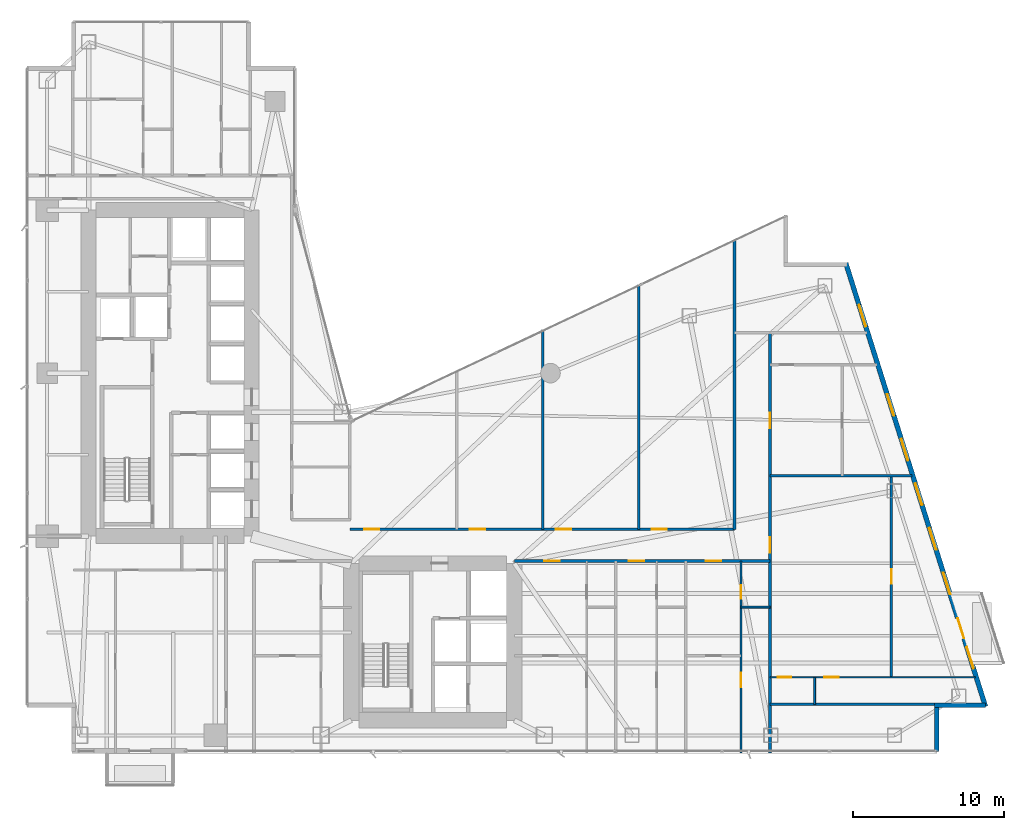
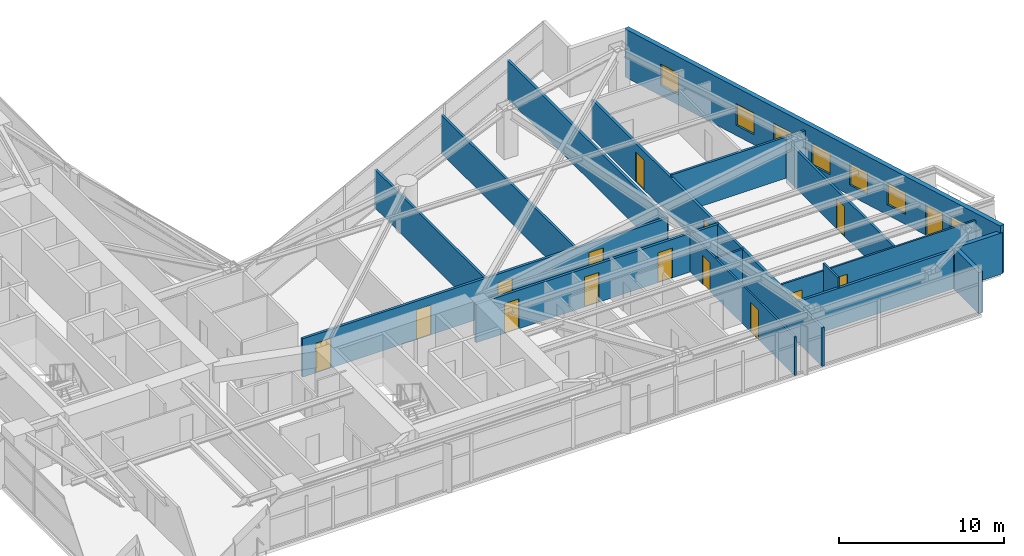
# One storey, part 24 of 30: 16 walls, 15 doors, 7 windows, 22 openings.
"""IFC4 building model written with IfcOpenShell, lengths in metres."""

from ifc_helpers import new_model, si_unit, direction, frame, frame_2d, origin, place, context, subcontext, project, spatial, rectangle, extrude, material, layer, layer_set, type_object, element, fill, save


model = new_model("IFC4")

# Units and contexts
model_context = context("Model", 3, precision=1e-05, world=origin(), true_north=direction((0.0, 1.0)))
body_context = subcontext(model_context, "Body", "Model", "MODEL_VIEW")
ifc_project = project(units=[si_unit("LENGTHUNIT", "METRE"), si_unit("AREAUNIT", "SQUARE_METRE"), si_unit("VOLUMEUNIT", "CUBIC_METRE"), si_unit("PLANEANGLEUNIT", "RADIAN"), si_unit("MASSUNIT", "GRAM", prefix="KILO")], contexts=[model_context])

# Site, building, storey
site_placement = place(None, origin())
site = spatial("IfcSite", under=ifc_project, at=site_placement, CompositionType="ELEMENT")
building_placement = place(site_placement, origin())
building = spatial("IfcBuilding", under=site, at=building_placement, Name="Calvorn Quay Hotel", CompositionType="ELEMENT")
storey_placement = place(building_placement, frame((0.0, 0.0, 50.800048828125)))
storey = spatial("IfcBuildingStorey", under=building, at=storey_placement, Name="L11", CompositionType="ELEMENT", Elevation=50.800048828125)

# Wall, openings, doors
ifc_material_1 = material(Name="Acoustic Fireboard Steel-Stud Partition", Category="steel")
ifc_layer_1 = layer(ifc_material_1, 0.179931640625)
ifc_layer_set_1 = layer_set([ifc_layer_1], Name="WL-CORR-FIRE-180")
wall_type_1 = type_object("IfcWallType", Name="WL-CORR-FIRE-180", PredefinedType="PARTITIONING", material=ifc_layer_set_1)
wall_1_placement = place(storey_placement, frame((32.39990234375, 15.14990234375, 0.0), z_axis=(0.0, 0.0, 1.0), x_axis=(1.0, 0.0, 0.0)))
wall_1 = element("IfcWall", 1, at=wall_1_placement, inside=storey, type_object=wall_type_1, Name="Partition Wall L11-WL-CORR-SE-S", PredefinedType="PARTITIONING", context=body_context, shape_type="SweptSolid", body=[
    extrude(rectangle(XDim=16.9501953125, YDim=0.179931640625, at=frame_2d((8.47509765625, 0.0))), origin(), (0.0, 0.0, 1.0), 2.83984375),
])
opening_1_placement = place(wall_1_placement, frame((1.989990234375, 0.0, 0.0)))
opening_1 = element("IfcOpeningElement", 2, at=opening_1_placement, cuts=wall_1, Name="Opening D-L11-U05", PredefinedType="OPENING", context=body_context, shape_type="SweptSolid", body=[
    extrude(rectangle(XDim=1.02001953125, YDim=2.199951171875, at=frame_2d((0.510009765625, 1.10009765625))), frame((0.0, 0.099853515625, 0.0), z_axis=(0.0, -1.0, 0.0), x_axis=(1.0, 0.0, 0.0)), (0.0, 0.0, 1.0), 0.199951171875),
])
opening_2_placement = place(wall_1_placement, frame((7.580078125, 0.0, 0.0)))
opening_2 = element("IfcOpeningElement", 3, at=opening_2_placement, cuts=wall_1, Name="Opening D-L11-U06", PredefinedType="OPENING", context=body_context, shape_type="SweptSolid", body=[
    extrude(rectangle(XDim=1.02001953125, YDim=2.199951171875, at=frame_2d((0.510009765625, 1.10009765625))), frame((0.0, 0.099853515625, 0.0), z_axis=(0.0, -1.0, 0.0), x_axis=(1.0, 0.0, 0.0)), (0.0, 0.0, 1.0), 0.199951171875),
])
opening_3_placement = place(wall_1_placement, frame((12.68994140625, 0.0, 0.0)))
opening_3 = element("IfcOpeningElement", 4, at=opening_3_placement, cuts=wall_1, Name="Opening D-L11-U07", PredefinedType="OPENING", context=body_context, shape_type="SweptSolid", body=[
    extrude(rectangle(XDim=1.02001953125, YDim=2.199951171875, at=frame_2d((0.510009765625, 1.10009765625))), frame((0.0, 0.099853515625, 0.0), z_axis=(0.0, -1.0, 0.0), x_axis=(1.0, 0.0, 0.0)), (0.0, 0.0, 1.0), 0.199951171875),
])
ifc_material_2 = material(Name="Solid-Core Walnut Veneer Hotel Fire Door")
door_type_1 = type_object("IfcDoorType", Name="DR-GUEST-ENTRY-1020", OperationType="NOTDEFINED", PredefinedType="DOOR", material=ifc_material_2)
door_1_placement = place(opening_1_placement, origin())
door_1 = element("IfcDoor", 5, at=door_1_placement, inside=storey, type_object=door_type_1, Name="South-East Unit Door U05 (L11)", OperationType="SINGLE_SWING_LEFT", OverallHeight=2.199951171875, OverallWidth=1.02001953125, PredefinedType="DOOR", context=body_context, shape_type="SweptSolid", body=[
    extrude(rectangle(XDim=1.02001953125, YDim=2.199951171875, at=frame_2d((0.510009765625, 1.10009765625))), frame((0.0, 0.02490234375, 0.0), z_axis=(0.0, -1.0, 0.0), x_axis=(1.0, 0.0, 0.0)), (0.0, 0.0, 1.0), 0.050048828125),
])
fill(opening_1, door_1)
door_2_placement = place(opening_2_placement, origin())
door_2 = element("IfcDoor", 6, at=door_2_placement, inside=storey, type_object=door_type_1, Name="South-East Unit Door U06 (L11)", OperationType="SINGLE_SWING_RIGHT", OverallHeight=2.199951171875, OverallWidth=1.02001953125, PredefinedType="DOOR", context=body_context, shape_type="SweptSolid", body=[
    extrude(rectangle(XDim=1.02001953125, YDim=2.199951171875, at=frame_2d((0.510009765625, 1.10009765625))), frame((0.0, 0.02490234375, 0.0), z_axis=(0.0, -1.0, 0.0), x_axis=(1.0, 0.0, 0.0)), (0.0, 0.0, 1.0), 0.050048828125),
])
fill(opening_2, door_2)
door_3_placement = place(opening_3_placement, origin())
door_3 = element("IfcDoor", 7, at=door_3_placement, inside=storey, type_object=door_type_1, Name="South-East Unit Door U07 (L11)", OperationType="SINGLE_SWING_LEFT", OverallHeight=2.199951171875, OverallWidth=1.02001953125, PredefinedType="DOOR", context=body_context, shape_type="SweptSolid", body=[
    extrude(rectangle(XDim=1.02001953125, YDim=2.199951171875, at=frame_2d((0.510009765625, 1.10009765625))), frame((0.0, 0.02490234375, 0.0), z_axis=(0.0, -1.0, 0.0), x_axis=(1.0, 0.0, 0.0)), (0.0, 0.0, 1.0), 0.050048828125),
])
fill(opening_3, door_3)

wall_2_placement = place(storey_placement, frame((21.5, 17.25, 0.0), z_axis=(0.0, 0.0, 1.0), x_axis=(1.0, 0.0, 0.0)))
wall_2 = element("IfcWall", 8, at=wall_2_placement, inside=storey, type_object=wall_type_1, Name="Partition Wall L11-WL-CORR-NE-N", PredefinedType="PARTITIONING", context=body_context, shape_type="SweptSolid", body=[
    extrude(rectangle(XDim=25.5, YDim=0.179931640625, at=frame_2d((12.75, 0.0))), origin(), (0.0, 0.0, 1.0), 2.83984375),
])
opening_4_placement = place(wall_2_placement, frame((0.949951171875, 0.0, 0.0)))
opening_4 = element("IfcOpeningElement", 9, at=opening_4_placement, cuts=wall_2, Name="Opening D-L11-NS1", PredefinedType="OPENING", context=body_context, shape_type="SweptSolid", body=[
    extrude(rectangle(XDim=1.02001953125, YDim=2.199951171875, at=frame_2d((0.510009765625, 1.10009765625))), frame((0.0, 0.099853515625, 0.0), z_axis=(0.0, -1.0, 0.0), x_axis=(1.0, 0.0, 0.0)), (0.0, 0.0, 1.0), 0.199951171875),
])
opening_5_placement = place(wall_2_placement, frame((7.949951171875, 0.0, 0.0)))
opening_5 = element("IfcOpeningElement", 10, at=opening_5_placement, cuts=wall_2, Name="Opening D-L11-NS2", PredefinedType="OPENING", context=body_context, shape_type="SweptSolid", body=[
    extrude(rectangle(XDim=1.02001953125, YDim=2.199951171875, at=frame_2d((0.510009765625, 1.10009765625))), frame((0.0, 0.099853515625, 0.0), z_axis=(0.0, -1.0, 0.0), x_axis=(1.0, 0.0, 0.0)), (0.0, 0.0, 1.0), 0.199951171875),
])
opening_6_placement = place(wall_2_placement, frame((13.64990234375, 0.0, 0.0)))
opening_6 = element("IfcOpeningElement", 11, at=opening_6_placement, cuts=wall_2, Name="Opening D-L11-NS3", PredefinedType="OPENING", context=body_context, shape_type="SweptSolid", body=[
    extrude(rectangle(XDim=1.02001953125, YDim=2.199951171875, at=frame_2d((0.510009765625, 1.10009765625))), frame((0.0, 0.099853515625, 0.0), z_axis=(0.0, -1.0, 0.0), x_axis=(1.0, 0.0, 0.0)), (0.0, 0.0, 1.0), 0.199951171875),
])
opening_7_placement = place(wall_2_placement, frame((20.0, 0.0, 0.0)))
opening_7 = element("IfcOpeningElement", 12, at=opening_7_placement, cuts=wall_2, Name="Opening D-L11-NS4", PredefinedType="OPENING", context=body_context, shape_type="SweptSolid", body=[
    extrude(rectangle(XDim=1.02001953125, YDim=2.199951171875, at=frame_2d((0.510009765625, 1.10009765625))), frame((0.0, 0.099853515625, 0.0), z_axis=(0.0, -1.0, 0.0), x_axis=(1.0, 0.0, 0.0)), (0.0, 0.0, 1.0), 0.199951171875),
])
door_4_placement = place(opening_4_placement, origin())
door_4 = element("IfcDoor", 13, at=door_4_placement, inside=storey, type_object=door_type_1, Name="Conservatory Salon Door 1 (L11)", OperationType="SINGLE_SWING_RIGHT", OverallHeight=2.199951171875, OverallWidth=1.02001953125, PredefinedType="DOOR", context=body_context, shape_type="SweptSolid", body=[
    extrude(rectangle(XDim=1.02001953125, YDim=2.199951171875, at=frame_2d((0.510009765625, 1.10009765625))), frame((0.0, 0.02490234375, 0.0), z_axis=(0.0, -1.0, 0.0), x_axis=(1.0, 0.0, 0.0)), (0.0, 0.0, 1.0), 0.050048828125),
])
fill(opening_4, door_4)
door_5_placement = place(opening_5_placement, origin())
door_5 = element("IfcDoor", 14, at=door_5_placement, inside=storey, type_object=door_type_1, Name="Conservatory Salon Door 2 (L11)", OperationType="SINGLE_SWING_LEFT", OverallHeight=2.199951171875, OverallWidth=1.02001953125, PredefinedType="DOOR", context=body_context, shape_type="SweptSolid", body=[
    extrude(rectangle(XDim=1.02001953125, YDim=2.199951171875, at=frame_2d((0.510009765625, 1.10009765625))), frame((0.0, 0.02490234375, 0.0), z_axis=(0.0, -1.0, 0.0), x_axis=(1.0, 0.0, 0.0)), (0.0, 0.0, 1.0), 0.050048828125),
])
fill(opening_5, door_5)
door_6_placement = place(opening_6_placement, origin())
door_6 = element("IfcDoor", 15, at=door_6_placement, inside=storey, type_object=door_type_1, Name="Conservatory Salon Door 3 (L11)", OperationType="SINGLE_SWING_RIGHT", OverallHeight=2.199951171875, OverallWidth=1.02001953125, PredefinedType="DOOR", context=body_context, shape_type="SweptSolid", body=[
    extrude(rectangle(XDim=1.02001953125, YDim=2.199951171875, at=frame_2d((0.510009765625, 1.10009765625))), frame((0.0, 0.02490234375, 0.0), z_axis=(0.0, -1.0, 0.0), x_axis=(1.0, 0.0, 0.0)), (0.0, 0.0, 1.0), 0.050048828125),
])
fill(opening_6, door_6)
door_7_placement = place(opening_7_placement, origin())
door_7 = element("IfcDoor", 16, at=door_7_placement, inside=storey, type_object=door_type_1, Name="Conservatory Salon Door 4 (L11)", OperationType="SINGLE_SWING_LEFT", OverallHeight=2.199951171875, OverallWidth=1.02001953125, PredefinedType="DOOR", context=body_context, shape_type="SweptSolid", body=[
    extrude(rectangle(XDim=1.02001953125, YDim=2.199951171875, at=frame_2d((0.510009765625, 1.10009765625))), frame((0.0, 0.02490234375, 0.0), z_axis=(0.0, -1.0, 0.0), x_axis=(1.0, 0.0, 0.0)), (0.0, 0.0, 1.0), 0.050048828125),
])
fill(opening_7, door_7)

# Walls
wall_3_placement = place(storey_placement, frame((47.0, 17.25, 0.0), z_axis=(0.0, 0.0, 1.0), x_axis=(0.0, 1.0, 0.0)))
element("IfcWall", 17, at=wall_3_placement, inside=storey, type_object=wall_type_1, Name="Partition Wall L11-WL-NE-END-E", PredefinedType="PARTITIONING", context=body_context, shape_type="SweptSolid", body=[
    extrude(rectangle(XDim=19.219970703125, YDim=0.179931640625, at=frame_2d((9.60986328125, 0.0))), origin(), (0.0, 0.0, 1.0), 2.83984375),
])
wall_4_placement = place(storey_placement, frame((49.35009765625, 5.659912109375, 0.0), z_axis=(0.0, 0.0, 1.0), x_axis=(1.0, 0.0, 0.0)))
element("IfcWall", 18, at=wall_4_placement, inside=storey, type_object=wall_type_1, Name="Partition Wall L11-WL-TIP-S", PredefinedType="PARTITIONING", context=body_context, shape_type="SweptSolid", body=[
    extrude(rectangle(XDim=11.0498046875, YDim=0.179931640625, at=frame_2d((5.52490234375, 0.0))), origin(), (0.0, 0.0, 1.0), 2.83984375),
])

# Wall, openings, doors
wall_5_placement = place(storey_placement, frame((49.35009765625, 2.43994140625, 0.0), z_axis=(0.0, 0.0, 1.0), x_axis=(0.0, 1.0, 0.0)))
wall_5 = element("IfcWall", 19, at=wall_5_placement, inside=storey, type_object=wall_type_1, Name="Partition Wall L11-WL-CORR-TIP-E", PredefinedType="PARTITIONING", context=body_context, shape_type="SweptSolid", body=[
    extrude(rectangle(XDim=27.840087890625, YDim=0.179931640625, at=frame_2d((13.919921875, 0.0))), origin(), (0.0, 0.0, 1.0), 2.83984375),
])
opening_8_placement = place(wall_5_placement, frame((13.260009765625, 0.0, 0.0)))
opening_8 = element("IfcOpeningElement", 20, at=opening_8_placement, cuts=wall_5, Name="Opening D-L11-U08", PredefinedType="OPENING", context=body_context, shape_type="SweptSolid", body=[
    extrude(rectangle(XDim=1.02001953125, YDim=2.199951171875, at=frame_2d((0.510009765625, 1.10009765625))), frame((0.0, 0.099853515625, 0.0), z_axis=(0.0, -1.0, 0.0), x_axis=(1.0, 0.0, 0.0)), (0.0, 0.0, 1.0), 0.199951171875),
])
opening_9_placement = place(wall_5_placement, frame((21.52001953125, 0.0, 0.0)))
opening_9 = element("IfcOpeningElement", 21, at=opening_9_placement, cuts=wall_5, Name="Opening D-L11-U09", PredefinedType="OPENING", context=body_context, shape_type="SweptSolid", body=[
    extrude(rectangle(XDim=1.02001953125, YDim=2.199951171875, at=frame_2d((0.510009765625, 1.10009765625))), frame((0.0, 0.099853515625, 0.0), z_axis=(0.0, -1.0, 0.0), x_axis=(1.0, 0.0, 0.0)), (0.0, 0.0, 1.0), 0.199951171875),
])
door_8_placement = place(opening_8_placement, origin())
door_8 = element("IfcDoor", 22, at=door_8_placement, inside=storey, type_object=door_type_1, Name="Terrace Suite Door U08 (L11)", OperationType="SINGLE_SWING_LEFT", OverallHeight=2.199951171875, OverallWidth=1.02001953125, PredefinedType="DOOR", context=body_context, shape_type="SweptSolid", body=[
    extrude(rectangle(XDim=1.02001953125, YDim=2.199951171875, at=frame_2d((0.510009765625, 1.10009765625))), frame((0.0, 0.02490234375, 0.0), z_axis=(0.0, -1.0, 0.0), x_axis=(1.0, 0.0, 0.0)), (0.0, 0.0, 1.0), 0.050048828125),
])
fill(opening_8, door_8)
door_9_placement = place(opening_9_placement, origin())
door_9 = element("IfcDoor", 23, at=door_9_placement, inside=storey, type_object=door_type_1, Name="Horizon Suite Door U09 (L11)", OperationType="SINGLE_SWING_RIGHT", OverallHeight=2.199951171875, OverallWidth=1.02001953125, PredefinedType="DOOR", context=body_context, shape_type="SweptSolid", body=[
    extrude(rectangle(XDim=1.02001953125, YDim=2.199951171875, at=frame_2d((0.510009765625, 1.10009765625))), frame((0.0, 0.02490234375, 0.0), z_axis=(0.0, -1.0, 0.0), x_axis=(1.0, 0.0, 0.0)), (0.0, 0.0, 1.0), 0.050048828125),
])
fill(opening_9, door_9)

# Wall
ifc_material_3 = material(Name="Moisture-Resistant Tile-Backed Partition")
ifc_layer_2 = layer(ifc_material_3, 0.125)
ifc_layer_set_2 = layer_set([ifc_layer_2], Name="WL-ENSUITE-125")
wall_type_2 = type_object("IfcWallType", Name="WL-ENSUITE-125", PredefinedType="PARTITIONING", material=ifc_layer_set_2)
wall_6_placement = place(storey_placement, frame((47.419921875, 12.10009765625, 0.0), z_axis=(0.0, 0.0, 1.0), x_axis=(1.0, 0.0, 0.0)))
element("IfcWall", 24, at=wall_6_placement, inside=storey, type_object=wall_type_2, Name="Partition Wall L11-WL-U07-BDV", PredefinedType="PARTITIONING", context=body_context, shape_type="SweptSolid", body=[
    extrude(rectangle(XDim=1.93017578125, YDim=0.125, at=frame_2d((0.965087890625, 0.0))), origin(), (0.0, 0.0, 1.0), 2.83984375),
])

# Wall, openings, doors
wall_7_placement = place(storey_placement, frame((47.419921875, 2.43994140625, 0.0), z_axis=(0.0, 0.0, 1.0), x_axis=(0.0, 1.0, 0.0)))
wall_7 = element("IfcWall", 25, at=wall_7_placement, inside=storey, type_object=wall_type_2, Name="Partition Wall L11-WL-U07-BV", PredefinedType="PARTITIONING", context=body_context, shape_type="SweptSolid", body=[
    extrude(rectangle(XDim=12.7099609375, YDim=0.125, at=frame_2d((6.35498046875, 0.0))), origin(), (0.0, 0.0, 1.0), 2.83984375),
])
opening_10_placement = place(wall_7_placement, frame((4.35009765625, 0.0, 0.0)))
opening_10 = element("IfcOpeningElement", 26, at=opening_10_placement, cuts=wall_7, Name="Opening D-L11-S07", PredefinedType="OPENING", context=body_context, shape_type="SweptSolid", body=[
    extrude(rectangle(XDim=0.9599609375, YDim=2.199951171875, at=frame_2d((0.47998046875, 1.10009765625))), frame((0.0, 0.072509765625, 0.0), z_axis=(0.0, -1.0, 0.0), x_axis=(1.0, 0.0, 0.0)), (0.0, 0.0, 1.0), 0.14501953125),
])
opening_11_placement = place(wall_7_placement, frame((10.2099609375, 0.0, 0.0)))
opening_11 = element("IfcOpeningElement", 27, at=opening_11_placement, cuts=wall_7, Name="Opening D-L11-E07", PredefinedType="OPENING", context=body_context, shape_type="SweptSolid", body=[
    extrude(rectangle(XDim=0.89990234375, YDim=2.14990234375, at=frame_2d((0.449951171875, 1.074951171875))), frame((0.0, 0.072509765625, 0.0), z_axis=(0.0, -1.0, 0.0), x_axis=(1.0, 0.0, 0.0)), (0.0, 0.0, 1.0), 0.14501953125),
])
ifc_material_4 = material(Name="Moisture-Sealed Timber En-Suite Door", Category="wood")
door_type_2 = type_object("IfcDoorType", Name="DR-ENSUITE-900", OperationType="NOTDEFINED", PredefinedType="DOOR", material=ifc_material_4)
door_10_placement = place(opening_11_placement, origin())
door_10 = element("IfcDoor", 28, at=door_10_placement, inside=storey, type_object=door_type_2, Name="En-Suite Door 07", OperationType="SINGLE_SWING_RIGHT", OverallHeight=2.14990234375, OverallWidth=0.89990234375, PredefinedType="DOOR", context=body_context, shape_type="SweptSolid", body=[
    extrude(rectangle(XDim=0.89990234375, YDim=2.14990234375, at=frame_2d((0.449951171875, 1.074951171875))), frame((0.0, 0.02490234375, 0.0), z_axis=(0.0, -1.0, 0.0), x_axis=(1.0, 0.0, 0.0)), (0.0, 0.0, 1.0), 0.050048828125),
])
fill(opening_11, door_10)
ifc_material_5 = material(Name="Solid Timber Internal Suite Door", Category="wood")
door_type_3 = type_object("IfcDoorType", Name="DR-SUITE-INT-960", OperationType="NOTDEFINED", PredefinedType="DOOR", material=ifc_material_5)
door_11_placement = place(opening_10_placement, origin())
door_11 = element("IfcDoor", 29, at=door_11_placement, inside=storey, type_object=door_type_3, Name="Executive Work Office Door 07", OperationType="SINGLE_SWING_LEFT", OverallHeight=2.199951171875, OverallWidth=0.9599609375, PredefinedType="DOOR", context=body_context, shape_type="SweptSolid", body=[
    extrude(rectangle(XDim=0.9599609375, YDim=2.199951171875, at=frame_2d((0.47998046875, 1.10009765625))), frame((0.0, 0.02490234375, 0.0), z_axis=(0.0, -1.0, 0.0), x_axis=(1.0, 0.0, 0.0)), (0.0, 0.0, 1.0), 0.050048828125),
])
fill(opening_10, door_11)

# Wall
wall_8_placement = place(storey_placement, frame((52.300048828125, 5.659912109375, 0.0), z_axis=(0.0, 0.0, 1.0), x_axis=(0.0, 1.0, 0.0)))
element("IfcWall", 30, at=wall_8_placement, inside=storey, type_object=wall_type_2, Name="Partition Wall L11-WL-U08-BDV", PredefinedType="PARTITIONING", context=body_context, shape_type="SweptSolid", body=[
    extrude(rectangle(XDim=1.7900390625, YDim=0.125, at=frame_2d((0.89501953125, 0.0))), origin(), (0.0, 0.0, 1.0), 3.56005859375),
])

# Wall, openings, doors
wall_9_placement = place(storey_placement, frame((49.35009765625, 7.449951171875, 0.0), z_axis=(0.0, 0.0, 1.0), x_axis=(1.0, 0.0, 0.0)))
wall_9 = element("IfcWall", 31, at=wall_9_placement, inside=storey, type_object=wall_type_2, Name="Partition Wall L11-WL-U08-BH", PredefinedType="PARTITIONING", context=body_context, shape_type="SweptSolid", body=[
    extrude(rectangle(XDim=13.60986328125, YDim=0.125, at=frame_2d((6.804931640625, 0.0))), origin(), (0.0, 0.0, 1.0), 3.0400390625),
])
opening_12_placement = place(wall_9_placement, frame((0.5, 0.0, 0.0)))
opening_12 = element("IfcOpeningElement", 32, at=opening_12_placement, cuts=wall_9, Name="Opening D-L11-E08", PredefinedType="OPENING", context=body_context, shape_type="SweptSolid", body=[
    extrude(rectangle(XDim=0.89990234375, YDim=2.14990234375, at=frame_2d((0.449951171875, 1.074951171875))), frame((0.0, 0.072509765625, 0.0), z_axis=(0.0, -1.0, 0.0), x_axis=(1.0, 0.0, 0.0)), (0.0, 0.0, 1.0), 0.14501953125),
])
opening_13_placement = place(wall_9_placement, frame((3.60009765625, 0.0, 0.0)))
opening_13 = element("IfcOpeningElement", 33, at=opening_13_placement, cuts=wall_9, Name="Opening D-L11-S08", PredefinedType="OPENING", context=body_context, shape_type="SweptSolid", body=[
    extrude(rectangle(XDim=0.9599609375, YDim=2.199951171875, at=frame_2d((0.47998046875, 1.10009765625))), frame((0.0, 0.072509765625, 0.0), z_axis=(0.0, -1.0, 0.0), x_axis=(1.0, 0.0, 0.0)), (0.0, 0.0, 1.0), 0.14501953125),
])
door_12_placement = place(opening_12_placement, origin())
door_12 = element("IfcDoor", 34, at=door_12_placement, inside=storey, type_object=door_type_2, Name="En-Suite Door 08", OperationType="SINGLE_SWING_LEFT", OverallHeight=2.14990234375, OverallWidth=0.89990234375, PredefinedType="DOOR", context=body_context, shape_type="SweptSolid", body=[
    extrude(rectangle(XDim=0.89990234375, YDim=2.14990234375, at=frame_2d((0.449951171875, 1.074951171875))), frame((0.0, 0.02490234375, 0.0), z_axis=(0.0, -1.0, 0.0), x_axis=(1.0, 0.0, 0.0)), (0.0, 0.0, 1.0), 0.050048828125),
])
fill(opening_12, door_12)
door_13_placement = place(opening_13_placement, origin())
door_13 = element("IfcDoor", 35, at=door_13_placement, inside=storey, type_object=door_type_3, Name="Executive Work Office Door 08", OperationType="SINGLE_SWING_RIGHT", OverallHeight=2.199951171875, OverallWidth=0.9599609375, PredefinedType="DOOR", context=body_context, shape_type="SweptSolid", body=[
    extrude(rectangle(XDim=0.9599609375, YDim=2.199951171875, at=frame_2d((0.47998046875, 1.10009765625))), frame((0.0, 0.02490234375, 0.0), z_axis=(0.0, -1.0, 0.0), x_axis=(1.0, 0.0, 0.0)), (0.0, 0.0, 1.0), 0.050048828125),
])
fill(opening_13, door_13)

# Walls
ifc_material_6 = material(Name="Concrete C40", Category="concrete")
ifc_layer_3 = layer(ifc_material_6, 0.320068359375)
ifc_layer_set_3 = layer_set([ifc_layer_3], Name="WL-EXT-SPANDREL-320")
wall_type_3 = type_object("IfcWallType", Name="WL-EXT-SPANDREL-320", PredefinedType="SOLIDWALL", material=ifc_layer_set_3)
wall_10_placement = place(storey_placement, frame((60.39990234375, 2.52001953125, 0.0), z_axis=(0.0, 0.0, 1.0), x_axis=(0.0, 1.0, 0.0)))
element("IfcWall", 36, at=wall_10_placement, inside=storey, type_object=wall_type_3, Name="Notched Corner Spandrel L11-SE1", PredefinedType="SOLIDWALL", context=body_context, shape_type="SweptSolid", body=[
    extrude(rectangle(XDim=2.93994140625, YDim=0.280029296875, at=frame_2d((1.469970703125, 0.0))), origin(), (0.0, 0.0, 1.0), 3.0400390625),
])
wall_11_placement = place(storey_placement, frame((60.260009765625, 5.60009765625, 0.0), z_axis=(0.0, 0.0, 1.0), x_axis=(1.0, 0.0, 0.0)))
element("IfcWall", 37, at=wall_11_placement, inside=storey, type_object=wall_type_3, Name="Notched Corner Spandrel L11-SE2", PredefinedType="SOLIDWALL", context=body_context, shape_type="SweptSolid", body=[
    extrude(rectangle(XDim=3.3798828125, YDim=0.280029296875, at=frame_2d((1.68994140625, 0.0))), origin(), (0.0, 0.0, 1.0), 3.0400390625),
])

# Wall, openings, door, windows
wall_12_placement = place(storey_placement, frame((63.6298828125, 5.5048828125, 0.0), z_axis=(0.0, 0.0, 1.0), x_axis=(-0.300501856448, 0.953781229775, 0.0)))
wall_12 = element("IfcWall", 38, at=wall_12_placement, inside=storey, type_object=wall_type_3, Name="East Stepped Waterfront Exterior Wall (L11)", PredefinedType="SOLIDWALL", context=body_context, shape_type="SweptSolid", body=[
    extrude(rectangle(XDim=30.814453125, YDim=0.320068359375, at=frame_2d((15.4072265625, 0.0))), origin(), (0.0, 0.0, 1.0), 3.56005859375),
])
opening_14_placement = place(wall_12_placement, frame((4.7470703125, 0.0, 0.0)))
opening_14 = element("IfcOpeningElement", 39, at=opening_14_placement, cuts=wall_12, Name="Opening DB-L11-1", PredefinedType="OPENING", context=body_context, shape_type="SweptSolid", body=[
    extrude(rectangle(XDim=1.39990234375, YDim=2.25, at=frame_2d((0.699951171875, 1.125))), frame((0.0, 0.169921875, 0.0), z_axis=(0.0, -1.0, 0.0), x_axis=(1.0, 0.0, 0.0)), (0.0, 0.0, 1.0), 0.340087890625),
])
opening_15_placement = place(wall_12_placement, frame((2.64990234375, 0.0, 0.75)))
opening_15 = element("IfcOpeningElement", 40, at=opening_15_placement, cuts=wall_12, Name="Opening WG-L11-E1", PredefinedType="OPENING", context=body_context, shape_type="SweptSolid", body=[
    extrude(rectangle(XDim=1.5, YDim=1.60009765625, at=frame_2d((0.75, 0.800048828125))), frame((0.0, 0.169921875, 0.0), z_axis=(0.0, -1.0, 0.0), x_axis=(1.0, 0.0, 0.0)), (0.0, 0.0, 1.0), 0.340087890625),
])
opening_16_placement = place(wall_12_placement, frame((7.800048828125, 0.0, 0.75)))
opening_16 = element("IfcOpeningElement", 41, at=opening_16_placement, cuts=wall_12, Name="Opening WG-L11-E2", PredefinedType="OPENING", context=body_context, shape_type="SweptSolid", body=[
    extrude(rectangle(XDim=1.5, YDim=1.60009765625, at=frame_2d((0.75, 0.800048828125))), frame((0.0, 0.169921875, 0.0), z_axis=(0.0, -1.0, 0.0), x_axis=(1.0, 0.0, 0.0)), (0.0, 0.0, 1.0), 0.340087890625),
])
opening_17_placement = place(wall_12_placement, frame((10.89990234375, 0.0, 0.75)))
opening_17 = element("IfcOpeningElement", 42, at=opening_17_placement, cuts=wall_12, Name="Opening WG-L11-E3", PredefinedType="OPENING", context=body_context, shape_type="SweptSolid", body=[
    extrude(rectangle(XDim=1.5, YDim=1.60009765625, at=frame_2d((0.75, 0.800048828125))), frame((0.0, 0.169921875, 0.0), z_axis=(0.0, -1.0, 0.0), x_axis=(1.0, 0.0, 0.0)), (0.0, 0.0, 1.0), 0.340087890625),
])
opening_18_placement = place(wall_12_placement, frame((14.0, 0.0, 0.75)))
opening_18 = element("IfcOpeningElement", 43, at=opening_18_placement, cuts=wall_12, Name="Opening WG-L11-E4", PredefinedType="OPENING", context=body_context, shape_type="SweptSolid", body=[
    extrude(rectangle(XDim=1.5, YDim=1.60009765625, at=frame_2d((0.75, 0.800048828125))), frame((0.0, 0.169921875, 0.0), z_axis=(0.0, -1.0, 0.0), x_axis=(1.0, 0.0, 0.0)), (0.0, 0.0, 1.0), 0.340087890625),
])
opening_19_placement = place(wall_12_placement, frame((17.10009765625, 0.0, 0.75)))
opening_19 = element("IfcOpeningElement", 44, at=opening_19_placement, cuts=wall_12, Name="Opening WG-L11-E5", PredefinedType="OPENING", context=body_context, shape_type="SweptSolid", body=[
    extrude(rectangle(XDim=1.5, YDim=1.60009765625, at=frame_2d((0.75, 0.800048828125))), frame((0.0, 0.169921875, 0.0), z_axis=(0.0, -1.0, 0.0), x_axis=(1.0, 0.0, 0.0)), (0.0, 0.0, 1.0), 0.340087890625),
])
opening_20_placement = place(wall_12_placement, frame((20.199951171875, 0.0, 0.75)))
opening_20 = element("IfcOpeningElement", 45, at=opening_20_placement, cuts=wall_12, Name="Opening WG-L11-E6", PredefinedType="OPENING", context=body_context, shape_type="SweptSolid", body=[
    extrude(rectangle(XDim=1.5, YDim=1.60009765625, at=frame_2d((0.75, 0.800048828125))), frame((0.0, 0.169921875, 0.0), z_axis=(0.0, -1.0, 0.0), x_axis=(1.0, 0.0, 0.0)), (0.0, 0.0, 1.0), 0.340087890625),
])
opening_21_placement = place(wall_12_placement, frame((26.39990234375, 0.0, 0.75)))
opening_21 = element("IfcOpeningElement", 46, at=opening_21_placement, cuts=wall_12, Name="Opening WG-L11-E7", PredefinedType="OPENING", context=body_context, shape_type="SweptSolid", body=[
    extrude(rectangle(XDim=1.5, YDim=1.60009765625, at=frame_2d((0.75, 0.800048828125))), frame((0.0, 0.169921875, 0.0), z_axis=(0.0, -1.0, 0.0), x_axis=(1.0, 0.0, 0.0)), (0.0, 0.0, 1.0), 0.340087890625),
])
ifc_material_7 = material(Name="Typhoon-Rated Low-E Aluminium Terrace Door", Category="aluminium")
door_type_4 = type_object("IfcDoorType", Name="DR-BALCONY-GLZ-1400", OperationType="NOTDEFINED", PredefinedType="DOOR", material=ifc_material_7)
door_14_placement = place(opening_14_placement, origin())
door_14 = element("IfcDoor", 47, at=door_14_placement, inside=storey, type_object=door_type_4, Name="Tree Balcony Terrace Door L11-BALC-E", OperationType="SINGLE_SWING_LEFT", OverallHeight=2.25, OverallWidth=1.39990234375, PredefinedType="DOOR", context=body_context, shape_type="SweptSolid", body=[
    extrude(rectangle(XDim=1.39990234375, YDim=2.25, at=frame_2d((0.699951171875, 1.125))), frame((0.0, 0.02490234375, 0.0), z_axis=(0.0, -1.0, 0.0), x_axis=(1.0, 0.0, 0.0)), (0.0, 0.0, 1.0), 0.050048828125),
])
fill(opening_14, door_14)
ifc_material_8 = material(Name="Self-Closing Class B Fire Window")
window_type = type_object("IfcWindowType", Name="WIN-REFUGE-1500x1600", PartitioningType="SINGLE_PANEL", PredefinedType="WINDOW", material=ifc_material_8)
window_1_placement = place(opening_15_placement, origin())
window_1 = element("IfcWindow", 48, at=window_1_placement, inside=storey, type_object=window_type, Name="East Facade Window L11-E1", OverallHeight=1.60009765625, OverallWidth=1.5, PartitioningType="SINGLE_PANEL", PredefinedType="WINDOW", context=body_context, shape_type="SweptSolid", body=[
    extrude(rectangle(XDim=1.5, YDim=1.60009765625, at=frame_2d((0.75, 0.800048828125))), frame((0.0, 0.030029296875, 0.0), z_axis=(0.0, -1.0, 0.0), x_axis=(1.0, 0.0, 0.0)), (0.0, 0.0, 1.0), 0.06005859375),
])
fill(opening_15, window_1)
window_2_placement = place(opening_16_placement, origin())
window_2 = element("IfcWindow", 49, at=window_2_placement, inside=storey, type_object=window_type, Name="East Facade Window L11-E2", OverallHeight=1.60009765625, OverallWidth=1.5, PartitioningType="SINGLE_PANEL", PredefinedType="WINDOW", context=body_context, shape_type="SweptSolid", body=[
    extrude(rectangle(XDim=1.5, YDim=1.60009765625, at=frame_2d((0.75, 0.800048828125))), frame((0.0, 0.030029296875, 0.0), z_axis=(0.0, -1.0, 0.0), x_axis=(1.0, 0.0, 0.0)), (0.0, 0.0, 1.0), 0.06005859375),
])
fill(opening_16, window_2)
window_3_placement = place(opening_17_placement, origin())
window_3 = element("IfcWindow", 50, at=window_3_placement, inside=storey, type_object=window_type, Name="East Facade Window L11-E3", OverallHeight=1.60009765625, OverallWidth=1.5, PartitioningType="SINGLE_PANEL", PredefinedType="WINDOW", context=body_context, shape_type="SweptSolid", body=[
    extrude(rectangle(XDim=1.5, YDim=1.60009765625, at=frame_2d((0.75, 0.800048828125))), frame((0.0, 0.030029296875, 0.0), z_axis=(0.0, -1.0, 0.0), x_axis=(1.0, 0.0, 0.0)), (0.0, 0.0, 1.0), 0.06005859375),
])
fill(opening_17, window_3)
window_4_placement = place(opening_18_placement, origin())
window_4 = element("IfcWindow", 51, at=window_4_placement, inside=storey, type_object=window_type, Name="East Facade Window L11-E4", OverallHeight=1.60009765625, OverallWidth=1.5, PartitioningType="SINGLE_PANEL", PredefinedType="WINDOW", context=body_context, shape_type="SweptSolid", body=[
    extrude(rectangle(XDim=1.5, YDim=1.60009765625, at=frame_2d((0.75, 0.800048828125))), frame((0.0, 0.030029296875, 0.0), z_axis=(0.0, -1.0, 0.0), x_axis=(1.0, 0.0, 0.0)), (0.0, 0.0, 1.0), 0.06005859375),
])
fill(opening_18, window_4)
window_5_placement = place(opening_19_placement, origin())
window_5 = element("IfcWindow", 52, at=window_5_placement, inside=storey, type_object=window_type, Name="East Facade Window L11-E5", OverallHeight=1.60009765625, OverallWidth=1.5, PartitioningType="SINGLE_PANEL", PredefinedType="WINDOW", context=body_context, shape_type="SweptSolid", body=[
    extrude(rectangle(XDim=1.5, YDim=1.60009765625, at=frame_2d((0.75, 0.800048828125))), frame((0.0, 0.030029296875, 0.0), z_axis=(0.0, -1.0, 0.0), x_axis=(1.0, 0.0, 0.0)), (0.0, 0.0, 1.0), 0.06005859375),
])
fill(opening_19, window_5)
window_6_placement = place(opening_20_placement, origin())
window_6 = element("IfcWindow", 53, at=window_6_placement, inside=storey, type_object=window_type, Name="East Facade Window L11-E6", OverallHeight=1.60009765625, OverallWidth=1.5, PartitioningType="SINGLE_PANEL", PredefinedType="WINDOW", context=body_context, shape_type="SweptSolid", body=[
    extrude(rectangle(XDim=1.5, YDim=1.60009765625, at=frame_2d((0.75, 0.800048828125))), frame((0.0, 0.030029296875, 0.0), z_axis=(0.0, -1.0, 0.0), x_axis=(1.0, 0.0, 0.0)), (0.0, 0.0, 1.0), 0.06005859375),
])
fill(opening_20, window_6)
window_7_placement = place(opening_21_placement, origin())
window_7 = element("IfcWindow", 54, at=window_7_placement, inside=storey, type_object=window_type, Name="East Facade Window L11-E7", OverallHeight=1.60009765625, OverallWidth=1.5, PartitioningType="SINGLE_PANEL", PredefinedType="WINDOW", context=body_context, shape_type="SweptSolid", body=[
    extrude(rectangle(XDim=1.5, YDim=1.60009765625, at=frame_2d((0.75, 0.800048828125))), frame((0.0, 0.030029296875, 0.0), z_axis=(0.0, -1.0, 0.0), x_axis=(1.0, 0.0, 0.0)), (0.0, 0.0, 1.0), 0.06005859375),
])
fill(opening_21, window_7)

# Walls
ifc_material_9 = material(Name="Double-Stud Acoustic Gypsum Partition")
ifc_layer_4 = layer(ifc_material_9, 0.159912109375)
ifc_layer_set_4 = layer_set([ifc_layer_4], Name="WL-INTERSUITE-160")
wall_type_4 = type_object("IfcWallType", Name="WL-INTERSUITE-160", PredefinedType="PARTITIONING", material=ifc_layer_set_4)
wall_13_placement = place(storey_placement, frame((34.300048828125, 17.25, 0.0), z_axis=(0.0, 0.0, 1.0), x_axis=(0.0, 1.0, 0.0)))
element("IfcWall", 55, at=wall_13_placement, inside=storey, type_object=wall_type_4, Name="Partition Wall L11-WL-NE-DIV-2", PredefinedType="PARTITIONING", context=body_context, shape_type="SweptSolid", body=[
    extrude(rectangle(XDim=13.22998046875, YDim=0.159912109375, at=frame_2d((6.614990234375, 0.0))), origin(), (0.0, 0.0, 1.0), 2.83984375),
])
wall_14_placement = place(storey_placement, frame((40.64990234375, 17.25, 0.0), z_axis=(0.0, 0.0, 1.0), x_axis=(0.0, 1.0, 0.0)))
element("IfcWall", 56, at=wall_14_placement, inside=storey, type_object=wall_type_4, Name="Partition Wall L11-WL-NE-DIV-3", PredefinedType="PARTITIONING", context=body_context, shape_type="SweptSolid", body=[
    extrude(rectangle(XDim=16.22998046875, YDim=0.159912109375, at=frame_2d((8.114990234375, 0.0))), origin(), (0.0, 0.0, 1.0), 2.83984375),
])

# Wall, opening, door
wall_15_placement = place(storey_placement, frame((57.389892578125, 7.449951171875, 0.0), z_axis=(0.0, 0.0, 1.0), x_axis=(0.0, 1.0, 0.0)))
wall_15 = element("IfcWall", 57, at=wall_15_placement, inside=storey, type_object=wall_type_4, Name="Partition Wall L11-WL-U08-MSP", PredefinedType="PARTITIONING", context=body_context, shape_type="SweptSolid", body=[
    extrude(rectangle(XDim=13.35009765625, YDim=0.159912109375, at=frame_2d((6.675048828125, 0.0))), origin(), (0.0, 0.0, 1.0), 2.83984375),
])
opening_22_placement = place(wall_15_placement, frame((6.199951171875, 0.0, 0.0)))
opening_22 = element("IfcOpeningElement", 58, at=opening_22_placement, cuts=wall_15, Name="Opening D-L11-M08", PredefinedType="OPENING", context=body_context, shape_type="SweptSolid", body=[
    extrude(rectangle(XDim=0.9599609375, YDim=2.199951171875, at=frame_2d((0.47998046875, 1.10009765625))), frame((0.0, 0.08984375, 0.0), z_axis=(0.0, -1.0, 0.0), x_axis=(1.0, 0.0, 0.0)), (0.0, 0.0, 1.0), 0.179931640625),
])
door_15_placement = place(opening_22_placement, origin())
door_15 = element("IfcDoor", 59, at=door_15_placement, inside=storey, type_object=door_type_3, Name="Suite Bedroom Door 08", OperationType="SINGLE_SWING_LEFT", OverallHeight=2.199951171875, OverallWidth=0.9599609375, PredefinedType="DOOR", context=body_context, shape_type="SweptSolid", body=[
    extrude(rectangle(XDim=0.9599609375, YDim=2.199951171875, at=frame_2d((0.47998046875, 1.10009765625))), frame((0.0, 0.02490234375, 0.0), z_axis=(0.0, -1.0, 0.0), x_axis=(1.0, 0.0, 0.0)), (0.0, 0.0, 1.0), 0.050048828125),
])
fill(opening_22, door_15)

# Wall
wall_16_placement = place(storey_placement, frame((49.35009765625, 20.800048828125, 0.0), z_axis=(0.0, 0.0, 1.0), x_axis=(1.0, 0.0, 0.0)))
element("IfcWall", 60, at=wall_16_placement, inside=storey, type_object=wall_type_4, Name="Partition Wall L11-WL-TIP-DIV", PredefinedType="PARTITIONING", context=body_context, shape_type="SweptSolid", body=[
    extrude(rectangle(XDim=9.39990234375, YDim=0.159912109375, at=frame_2d((4.699951171875, 0.0))), origin(), (0.0, 0.0, 1.0), 3.0400390625),
])

save(model, "model.ifc")
